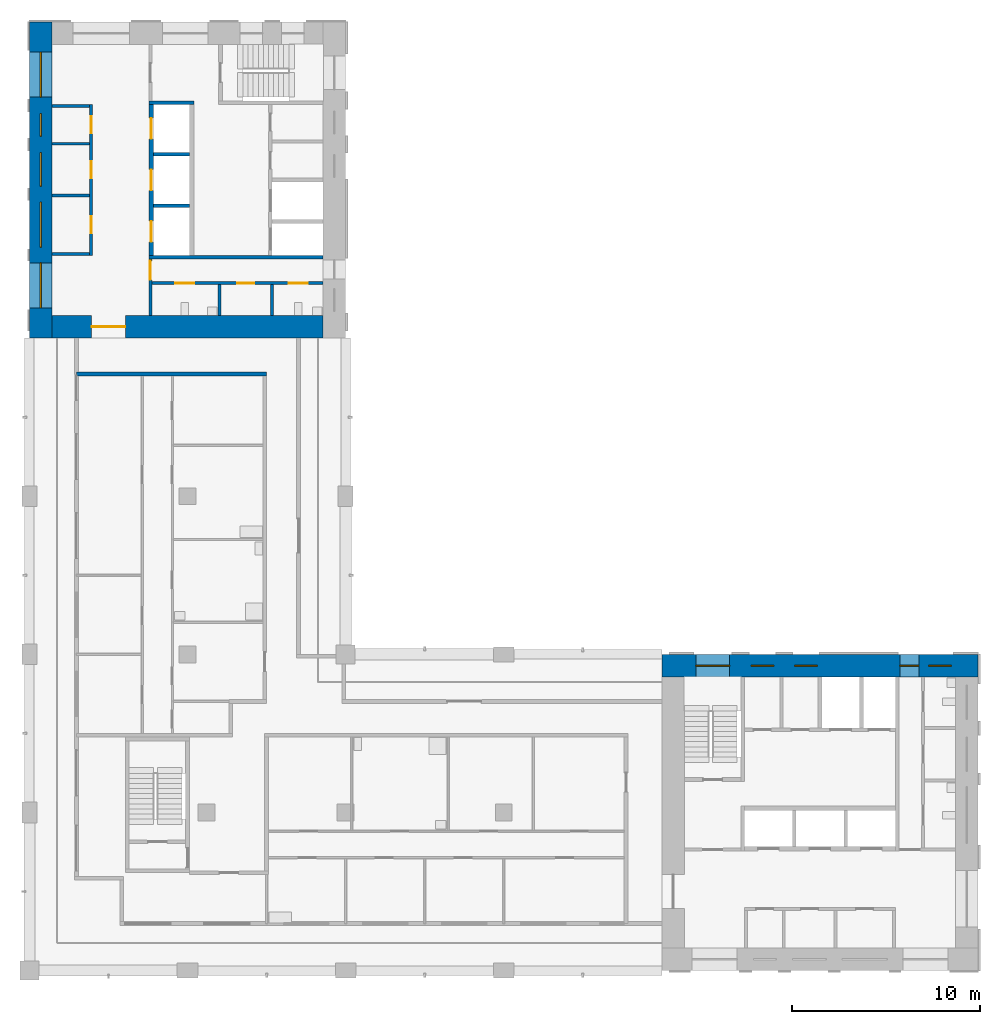
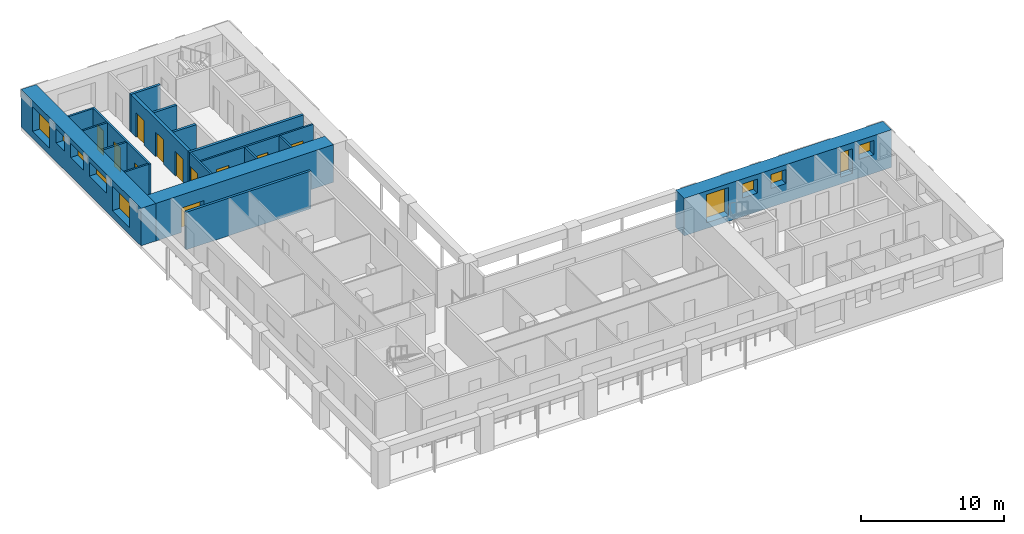
# One storey, part 5 of 9: 18 walls, 11 doors, 10 windows, 21 openings.
"""IFC4 building model written with IfcOpenShell, lengths in metres."""

from ifc_helpers import new_model, si_unit, direction, frame, frame_2d, origin, place, context, subcontext, project, spatial, rectangle, extrude, material, layer, layer_set, type_object, element, fill, save


model = new_model("IFC4")

# Units and contexts
model_context = context("Model", 3, precision=1e-05, world=origin(), true_north=direction((0.0, 1.0)))
body_context = subcontext(model_context, "Body", "Model", "MODEL_VIEW")
ifc_project = project(units=[si_unit("LENGTHUNIT", "METRE"), si_unit("AREAUNIT", "SQUARE_METRE"), si_unit("VOLUMEUNIT", "CUBIC_METRE"), si_unit("PLANEANGLEUNIT", "RADIAN"), si_unit("MASSUNIT", "GRAM", prefix="KILO")], contexts=[model_context])

# Site, building, storey
site_placement = place(None, origin())
site = spatial("IfcSite", under=ifc_project, at=site_placement, CompositionType="ELEMENT")
building_placement = place(site_placement, origin())
building = spatial("IfcBuilding", under=site, at=building_placement, Name="Vermilion Gate Residences", CompositionType="ELEMENT")
storey_placement = place(building_placement, frame((0.0, 0.0, 228.199951171875)))
storey = spatial("IfcBuildingStorey", under=building, at=storey_placement, Name="L59", CompositionType="ELEMENT", Elevation=228.199951171875)

# Walls
ifc_material_1 = material(Name="Masonry blockwork", Category="masonry")
ifc_layer_1 = layer(ifc_material_1, 0.14990234375)
ifc_layer_set_1 = layer_set([ifc_layer_1], Name="BLOCKWORK PARTITION 150 EI 120")
wall_type_1 = type_object("IfcWallType", Name="BLOCKWORK PARTITION 150 EI 120", PredefinedType="PARTITIONING", material=ifc_layer_set_1)
for number, where, z_axis, x_axis, name in (
    (1, (9.60009765625, 54.324951171875, 0.0), (0.0, 0.0, 1.0), (1.0, 0.0, 0.0), "Core room partition B59-RW-W"),
    (2, (9.60009765625, 46.47509765625, 0.0), (0.0, 0.0, 1.0), (1.0, 0.0, 0.0), "Core room partition B59-RW-E"),
    (3, (9.60009765625, 52.324951171875, 0.0), (0.0, 0.0, 1.0), (1.0, 0.0, 0.0), "Core room partition B59-SR-P0"),
    (4, (9.60009765625, 49.5849609375, 0.0), (0.0, 0.0, 1.0), (1.0, 0.0, 0.0), "Core room partition B59-SR-P1"),
):
    element("IfcWall", number, at=place(storey_placement, frame(where, z_axis=z_axis, x_axis=x_axis)), inside=storey, type_object=wall_type_1, Name=name, PredefinedType="PARTITIONING", context=body_context, shape_type="SweptSolid", body=[
        extrude(rectangle(XDim=2.0, YDim=0.14990234375, at=frame_2d((1.0, 0.0))), origin(), (0.0, 0.0, 1.0), 3.219970703125),
    ])

# Wall, openings, doors
wall_1_placement = place(storey_placement, frame((11.675048828125, 54.39990234375, 0.0), z_axis=(0.0, 0.0, 1.0), x_axis=(0.0, -1.0, 0.0)))
wall_1 = element("IfcWall", 5, at=wall_1_placement, inside=storey, type_object=wall_type_1, Name="Core room partition B59-LR-F", PredefinedType="PARTITIONING", context=body_context, shape_type="SweptSolid", body=[
    extrude(rectangle(XDim=8.0, YDim=0.14990234375, at=frame_2d((4.0, 0.0))), origin(), (0.0, 0.0, 1.0), 3.219970703125),
])
opening_1_placement = place(wall_1_placement, frame((0.625, 0.0, 0.0)))
opening_1 = element("IfcOpeningElement", 6, at=opening_1_placement, cuts=wall_1, Name="Opening DK59102", PredefinedType="OPENING", context=body_context, shape_type="SweptSolid", body=[
    extrude(rectangle(XDim=0.89990234375, YDim=2.10009765625, at=frame_2d((0.449951171875, 1.050048828125))), frame((0.0, 0.0849609375, 0.0), z_axis=(0.0, -1.0, 0.0), x_axis=(1.0, 0.0, 0.0)), (0.0, 0.0, 1.0), 0.169921875),
])
opening_2_placement = place(wall_1_placement, frame((2.9951171875, 0.0, 0.0)))
opening_2 = element("IfcOpeningElement", 7, at=opening_2_placement, cuts=wall_1, Name="Opening DK59103", PredefinedType="OPENING", context=body_context, shape_type="SweptSolid", body=[
    extrude(rectangle(XDim=0.89990234375, YDim=2.10009765625, at=frame_2d((0.449951171875, 1.050048828125))), frame((0.0, 0.0849609375, 0.0), z_axis=(0.0, -1.0, 0.0), x_axis=(1.0, 0.0, 0.0)), (0.0, 0.0, 1.0), 0.169921875),
])
opening_3_placement = place(wall_1_placement, frame((5.919921875, 0.0, 0.0)))
opening_3 = element("IfcOpeningElement", 8, at=opening_3_placement, cuts=wall_1, Name="Opening DK59104", PredefinedType="OPENING", context=body_context, shape_type="SweptSolid", body=[
    extrude(rectangle(XDim=0.89990234375, YDim=2.10009765625, at=frame_2d((0.449951171875, 1.050048828125))), frame((0.0, 0.0849609375, 0.0), z_axis=(0.0, -1.0, 0.0), x_axis=(1.0, 0.0, 0.0)), (0.0, 0.0, 1.0), 0.169921875),
])
ifc_material_2 = material(Name="Steel", Category="steel")
door_type_1 = type_object("IfcDoorType", Name="SERVICE ROOM DOOR FD60 900 X 2100", OperationType="SINGLE_SWING_LEFT", PredefinedType="DOOR", material=ifc_material_2)
door_1_placement = place(opening_1_placement, frame((0.89990234375, 0.0, 0.0), z_axis=(0.0, 0.0, 1.0), x_axis=(-1.0, 0.0, 0.0)))
door_1 = element("IfcDoor", 9, at=door_1_placement, inside=storey, type_object=door_type_1, Name="Mail room B59", OperationType="SINGLE_SWING_LEFT", OverallHeight=2.10009765625, OverallWidth=0.89990234375, PredefinedType="DOOR", context=body_context, shape_type="SweptSolid", body=[
    extrude(rectangle(XDim=0.89990234375, YDim=2.10009765625, at=frame_2d((0.449951171875, 1.050048828125))), frame((0.0, 0.02490234375, 0.0), z_axis=(0.0, -1.0, 0.0), x_axis=(1.0, 0.0, 0.0)), (0.0, 0.0, 1.0), 0.050048828125),
])
fill(opening_1, door_1)
door_2_placement = place(opening_2_placement, frame((0.89990234375, 0.0, 0.0), z_axis=(0.0, 0.0, 1.0), x_axis=(-1.0, 0.0, 0.0)))
door_2 = element("IfcDoor", 10, at=door_2_placement, inside=storey, type_object=door_type_1, Name="Cleaner's store B59", OperationType="SINGLE_SWING_LEFT", OverallHeight=2.10009765625, OverallWidth=0.89990234375, PredefinedType="DOOR", context=body_context, shape_type="SweptSolid", body=[
    extrude(rectangle(XDim=0.89990234375, YDim=2.10009765625, at=frame_2d((0.449951171875, 1.050048828125))), frame((0.0, 0.02490234375, 0.0), z_axis=(0.0, -1.0, 0.0), x_axis=(1.0, 0.0, 0.0)), (0.0, 0.0, 1.0), 0.050048828125),
])
fill(opening_2, door_2)
door_3_placement = place(opening_3_placement, origin())
door_3 = element("IfcDoor", 11, at=door_3_placement, inside=storey, type_object=door_type_1, Name="Electrical room B59", OperationType="SINGLE_SWING_LEFT", OverallHeight=2.10009765625, OverallWidth=0.89990234375, PredefinedType="DOOR", context=body_context, shape_type="SweptSolid", body=[
    extrude(rectangle(XDim=0.89990234375, YDim=2.10009765625, at=frame_2d((0.449951171875, 1.050048828125))), frame((0.0, 0.02490234375, 0.0), z_axis=(0.0, -1.0, 0.0), x_axis=(1.0, 0.0, 0.0)), (0.0, 0.0, 1.0), 0.050048828125),
])
fill(opening_3, door_3)

# Wall, opening, door
wall_2_placement = place(storey_placement, frame((14.824951171875, 46.199951171875, 0.0), z_axis=(0.0, 0.0, 1.0), x_axis=(0.0, -1.0, 0.0)))
wall_2 = element("IfcWall", 12, at=wall_2_placement, inside=storey, type_object=wall_type_1, Name="Core room partition B59-ES-S", PredefinedType="PARTITIONING", context=body_context, shape_type="SweptSolid", body=[
    extrude(rectangle(XDim=3.0, YDim=0.14990234375, at=frame_2d((1.5, 0.0))), origin(), (0.0, 0.0, 1.0), 3.219970703125),
])
opening_4_placement = place(wall_2_placement, frame((0.10009765625, 0.0, 0.0)))
opening_4 = element("IfcOpeningElement", 13, at=opening_4_placement, cuts=wall_2, Name="Opening DK59114", PredefinedType="OPENING", context=body_context, shape_type="SweptSolid", body=[
    extrude(rectangle(XDim=1.0, YDim=2.10009765625, at=frame_2d((0.5, 1.050048828125))), frame((0.0, 0.0849609375, 0.0), z_axis=(0.0, -1.0, 0.0), x_axis=(1.0, 0.0, 0.0)), (0.0, 0.0, 1.0), 0.169921875),
])
ifc_material_3 = material(Name="Steel", Category="steel")
door_type_2 = type_object("IfcDoorType", Name="FIRE DOOR FD60 1000 X 2100", OperationType="SINGLE_SWING_LEFT", PredefinedType="DOOR", material=ifc_material_3)
door_4_placement = place(opening_4_placement, frame((1.0, 0.0, 0.0), z_axis=(0.0, 0.0, 1.0), x_axis=(-1.0, 0.0, 0.0)))
door_4 = element("IfcDoor", 14, at=door_4_placement, inside=storey, type_object=door_type_2, Name="Service corridor door B59", OperationType="SINGLE_SWING_LEFT", OverallHeight=2.10009765625, OverallWidth=1.0, PredefinedType="DOOR", context=body_context, shape_type="SweptSolid", body=[
    extrude(rectangle(XDim=1.0, YDim=2.10009765625, at=frame_2d((0.5, 1.050048828125))), frame((0.0, 0.02490234375, 0.0), z_axis=(0.0, -1.0, 0.0), x_axis=(1.0, 0.0, 0.0)), (0.0, 0.0, 1.0), 0.050048828125),
])
fill(opening_4, door_4)

# Walls
for number, where, z_axis, x_axis, name in (
    (15, (18.4951171875, 44.85009765625, 0.0), (0.0, 0.0, 1.0), (0.0, -1.0, 0.0), "Core room partition B59-ES-P0"),
    (16, (21.284912109375, 44.85009765625, 0.0), (0.0, 0.0, 1.0), (0.0, -1.0, 0.0), "Core room partition B59-ES-P1"),
):
    element("IfcWall", number, at=place(storey_placement, frame(where, z_axis=z_axis, x_axis=x_axis)), inside=storey, type_object=wall_type_1, Name=name, PredefinedType="PARTITIONING", context=body_context, shape_type="SweptSolid", body=[
        extrude(rectangle(XDim=1.650146484375, YDim=0.14990234375, at=frame_2d((0.8251953125, 0.0))), origin(), (0.0, 0.0, 1.0), 3.219970703125),
    ])

# Wall, openings, doors
wall_3_placement = place(storey_placement, frame((14.89990234375, 44.925048828125, 0.0), z_axis=(0.0, 0.0, 1.0), x_axis=(1.0, 0.0, 0.0)))
wall_3 = element("IfcWall", 17, at=wall_3_placement, inside=storey, type_object=wall_type_1, Name="Core room partition B59-ES-W", PredefinedType="PARTITIONING", context=body_context, shape_type="SweptSolid", body=[
    extrude(rectangle(XDim=9.10009765625, YDim=0.14990234375, at=frame_2d((4.550048828125, 0.0))), origin(), (0.0, 0.0, 1.0), 3.219970703125),
])
opening_5_placement = place(wall_3_placement, frame((1.260009765625, 0.0, 0.0)))
opening_5 = element("IfcOpeningElement", 18, at=opening_5_placement, cuts=wall_3, Name="Opening DK59115", PredefinedType="OPENING", context=body_context, shape_type="SweptSolid", body=[
    extrude(rectangle(XDim=1.0, YDim=2.10009765625, at=frame_2d((0.5, 1.050048828125))), frame((0.0, 0.0849609375, 0.0), z_axis=(0.0, -1.0, 0.0), x_axis=(1.0, 0.0, 0.0)), (0.0, 0.0, 1.0), 0.169921875),
])
opening_6_placement = place(wall_3_placement, frame((4.5400390625, 0.0, 0.0)))
opening_6 = element("IfcOpeningElement", 19, at=opening_6_placement, cuts=wall_3, Name="Opening DK59116", PredefinedType="OPENING", context=body_context, shape_type="SweptSolid", body=[
    extrude(rectangle(XDim=0.89990234375, YDim=2.10009765625, at=frame_2d((0.449951171875, 1.050048828125))), frame((0.0, 0.0849609375, 0.0), z_axis=(0.0, -1.0, 0.0), x_axis=(1.0, 0.0, 0.0)), (0.0, 0.0, 1.0), 0.169921875),
])
opening_7_placement = place(wall_3_placement, frame((7.280029296875, 0.0, 0.0)))
opening_7 = element("IfcOpeningElement", 20, at=opening_7_placement, cuts=wall_3, Name="Opening DK59117", PredefinedType="OPENING", context=body_context, shape_type="SweptSolid", body=[
    extrude(rectangle(XDim=1.0, YDim=2.10009765625, at=frame_2d((0.5, 1.050048828125))), frame((0.0, 0.0849609375, 0.0), z_axis=(0.0, -1.0, 0.0), x_axis=(1.0, 0.0, 0.0)), (0.0, 0.0, 1.0), 0.169921875),
])
door_5_placement = place(opening_5_placement, frame((1.0, 0.0, 0.0), z_axis=(0.0, 0.0, 1.0), x_axis=(-1.0, 0.0, 0.0)))
door_5 = element("IfcDoor", 21, at=door_5_placement, inside=storey, type_object=door_type_2, Name="Accessible WC B59", OperationType="SINGLE_SWING_RIGHT", OverallHeight=2.10009765625, OverallWidth=1.0, PredefinedType="DOOR", context=body_context, shape_type="SweptSolid", body=[
    extrude(rectangle(XDim=1.0, YDim=2.10009765625, at=frame_2d((0.5, 1.050048828125))), frame((0.0, 0.02490234375, 0.0), z_axis=(0.0, -1.0, 0.0), x_axis=(1.0, 0.0, 0.0)), (0.0, 0.0, 1.0), 0.050048828125),
])
fill(opening_5, door_5)
door_6_placement = place(opening_7_placement, frame((1.0, 0.0, 0.0), z_axis=(0.0, 0.0, 1.0), x_axis=(-1.0, 0.0, 0.0)))
door_6 = element("IfcDoor", 22, at=door_6_placement, inside=storey, type_object=door_type_2, Name="Accessible WC B59", OperationType="SINGLE_SWING_RIGHT", OverallHeight=2.10009765625, OverallWidth=1.0, PredefinedType="DOOR", context=body_context, shape_type="SweptSolid", body=[
    extrude(rectangle(XDim=1.0, YDim=2.10009765625, at=frame_2d((0.5, 1.050048828125))), frame((0.0, 0.02490234375, 0.0), z_axis=(0.0, -1.0, 0.0), x_axis=(1.0, 0.0, 0.0)), (0.0, 0.0, 1.0), 0.050048828125),
])
fill(opening_7, door_6)
door_7_placement = place(opening_6_placement, frame((0.89990234375, 0.0, 0.0), z_axis=(0.0, 0.0, 1.0), x_axis=(-1.0, 0.0, 0.0)))
door_7 = element("IfcDoor", 23, at=door_7_placement, inside=storey, type_object=door_type_1, Name="Communications room B59", OperationType="SINGLE_SWING_RIGHT", OverallHeight=2.10009765625, OverallWidth=0.89990234375, PredefinedType="DOOR", context=body_context, shape_type="SweptSolid", body=[
    extrude(rectangle(XDim=0.89990234375, YDim=2.10009765625, at=frame_2d((0.449951171875, 1.050048828125))), frame((0.0, 0.02490234375, 0.0), z_axis=(0.0, -1.0, 0.0), x_axis=(1.0, 0.0, 0.0)), (0.0, 0.0, 1.0), 0.050048828125),
])
fill(opening_6, door_7)

# Walls
ifc_material_4 = material(Name="Fire-rated plasterboard on steel studs", Category="steel")
ifc_layer_2 = layer(ifc_material_4, 0.199951171875)
ifc_layer_set_2 = layer_set([ifc_layer_2], Name="PARTY WALL 200 EI 120")
wall_type_2 = type_object("IfcWallType", Name="PARTY WALL 200 EI 120", PredefinedType="PARTITIONING", material=ifc_layer_set_2)
wall_4_placement = place(storey_placement, frame((10.89990234375, 40.10009765625, 0.0), z_axis=(0.0, 0.0, 1.0), x_axis=(1.0, 0.0, 0.0)))
element("IfcWall", 24, at=wall_4_placement, inside=storey, type_object=wall_type_2, Name="Party and corridor wall", PredefinedType="PARTITIONING", context=body_context, shape_type="SweptSolid", body=[
    extrude(rectangle(XDim=10.10009765625, YDim=0.199951171875, at=frame_2d((5.050048828125, 0.0))), origin(), (0.0, 0.0, 1.0), 3.219970703125),
])
ifc_material_5 = material(Name="Concrete C60", Category="concrete")
ifc_layer_3 = layer(ifc_material_5, 0.199951171875)
ifc_layer_set_3 = layer_set([ifc_layer_3], Name="RC CORE INTERNAL WALL 200 C60")
wall_type_3 = type_object("IfcWallType", Name="RC CORE INTERNAL WALL 200 C60", PredefinedType="SHEAR", material=ifc_layer_set_3)
for number, where, z_axis, x_axis, name in (
    (25, (15.0, 51.7666015625, 0.0), (0.0, 0.0, 1.0), (1.0, 0.0, 0.0), "Core internal wall B59-HR-D1"),
    (26, (15.0, 49.033447265625, 0.0), (0.0, 0.0, 1.0), (1.0, 0.0, 0.0), "Core internal wall B59-HR-D2"),
):
    element("IfcWall", number, at=place(storey_placement, frame(where, z_axis=z_axis, x_axis=x_axis)), inside=storey, type_object=wall_type_3, Name=name, PredefinedType="SHEAR", context=body_context, shape_type="SweptSolid", body=[
        extrude(rectangle(XDim=1.89990234375, YDim=0.199951171875, at=frame_2d((0.949951171875, 0.0))), origin(), (0.0, 0.0, 1.0), 3.219970703125),
    ])
wall_5_placement = place(storey_placement, frame((14.75, 54.5, 0.0), z_axis=(0.0, 0.0, 1.0), x_axis=(1.0, 0.0, 0.0)))
element("IfcWall", 27, at=wall_5_placement, inside=storey, type_object=wall_type_3, Name="Core internal wall B59-WDIV1", PredefinedType="SHEAR", context=body_context, shape_type="SweptSolid", body=[
    extrude(rectangle(XDim=2.39990234375, YDim=0.199951171875, at=frame_2d((1.199951171875, 0.0))), origin(), (0.0, 0.0, 1.0), 3.219970703125),
])
wall_6_placement = place(storey_placement, frame((14.75, 46.300048828125, 0.0), z_axis=(0.0, 0.0, 1.0), x_axis=(1.0, 0.0, 0.0)))
element("IfcWall", 28, at=wall_6_placement, inside=storey, type_object=wall_type_3, Name="Core internal wall B59-EDIV", PredefinedType="SHEAR", context=body_context, shape_type="SweptSolid", body=[
    extrude(rectangle(XDim=9.25, YDim=0.199951171875, at=frame_2d((4.625, 0.0))), origin(), (0.0, 0.0, 1.0), 3.219970703125),
])

# Wall, opening, door
ifc_material_6 = material(Name="Concrete C50", Category="concrete")
ifc_layer_4 = layer(ifc_material_6, 1.199951171875)
ifc_layer_set_4 = layer_set([ifc_layer_4], Name="RC CORE WALL 1200 C50")
wall_type_4 = type_object("IfcWallType", Name="RC CORE WALL 1200 C50", PredefinedType="SHEAR", material=ifc_layer_set_4)
wall_7_placement = place(storey_placement, frame((9.60009765625, 42.60009765625, 0.0), z_axis=(0.0, 0.0, 1.0), x_axis=(1.0, 0.0, 0.0)))
wall_7 = element("IfcWall", 29, at=wall_7_placement, inside=storey, type_object=wall_type_4, Name="Core wall B59-OUT-BK", PredefinedType="SHEAR", context=body_context, shape_type="SweptSolid", body=[
    extrude(rectangle(XDim=14.39990234375, YDim=1.199951171875, at=frame_2d((7.199951171875, 0.0))), origin(), (0.0, 0.0, 1.0), 3.219970703125),
])
opening_8_placement = place(wall_7_placement, frame((2.10009765625, 0.0, 0.0)))
opening_8 = element("IfcOpeningElement", 30, at=opening_8_placement, cuts=wall_7, Name="Opening DK59101", PredefinedType="OPENING", context=body_context, shape_type="SweptSolid", body=[
    extrude(rectangle(XDim=1.800048828125, YDim=2.10009765625, at=frame_2d((0.89990234375, 1.050048828125))), frame((0.0, 0.60986328125, 0.0), z_axis=(0.0, -1.0, 0.0), x_axis=(1.0, 0.0, 0.0)), (0.0, 0.0, 1.0), 1.219970703125),
])
ifc_material_7 = material(Name="Steel", Category="steel")
door_type_3 = type_object("IfcDoorType", Name="CORE LOBBY DOOR FD60 1800 X 2100", OperationType="DOUBLE_DOOR_SINGLE_SWING", PredefinedType="DOOR", material=ifc_material_7)
door_8_placement = place(opening_8_placement, frame((1.800048828125, 0.0, 0.0), z_axis=(0.0, 0.0, 1.0), x_axis=(-1.0, 0.0, 0.0)))
door_8 = element("IfcDoor", 31, at=door_8_placement, inside=storey, type_object=door_type_3, Name="Core lobby door B59", OperationType="DOUBLE_DOOR_SINGLE_SWING", OverallHeight=2.10009765625, OverallWidth=1.800048828125, PredefinedType="DOOR", context=body_context, shape_type="SweptSolid", body=[
    extrude(rectangle(XDim=1.800048828125, YDim=2.10009765625, at=frame_2d((0.89990234375, 1.050048828125))), frame((0.0, 0.02490234375, 0.0), z_axis=(0.0, -1.0, 0.0), x_axis=(1.0, 0.0, 0.0)), (0.0, 0.0, 1.0), 0.050048828125),
])
fill(opening_8, door_8)

# Wall, openings, windows
ifc_material_8 = material(Name="Concrete C50 red-oxide pigmented", Category="concrete")
ifc_layer_5 = layer(ifc_material_8, 1.199951171875)
ifc_layer_set_5 = layer_set([ifc_layer_5], Name="RC CORE WALL 1200 C50 RED OXIDE")
wall_type_5 = type_object("IfcWallType", Name="RC CORE WALL 1200 C50 RED OXIDE", PredefinedType="SHEAR", material=ifc_layer_set_5)
wall_8_placement = place(storey_placement, frame((42.0, 24.60009765625, 0.0), z_axis=(0.0, 0.0, 1.0), x_axis=(1.0, 0.0, 0.0)))
wall_8 = element("IfcWall", 32, at=wall_8_placement, inside=storey, type_object=wall_type_5, Name="Core wall A59-OUT-B1", PredefinedType="SHEAR", context=body_context, shape_type="SweptSolid", body=[
    extrude(rectangle(XDim=16.800048828125, YDim=1.199951171875, at=frame_2d((8.39990234375, 0.0))), origin(), (0.0, 0.0, 1.0), 3.219970703125),
])
opening_9_placement = place(wall_8_placement, frame((1.800048828125, 0.0, 0.5)))
opening_9 = element("IfcOpeningElement", 33, at=opening_9_placement, cuts=wall_8, Name="Opening WKA5906", PredefinedType="OPENING", context=body_context, shape_type="SweptSolid", body=[
    extrude(rectangle(XDim=1.800048828125, YDim=2.39990234375, at=frame_2d((0.89990234375, 1.199951171875))), frame((0.0, 0.60986328125, 0.0), z_axis=(0.0, -1.0, 0.0), x_axis=(1.0, 0.0, 0.0)), (0.0, 0.0, 1.0), 1.219970703125),
])
opening_10_placement = place(wall_8_placement, frame((4.737548828125, 0.0, 1.60009765625)))
opening_10 = element("IfcOpeningElement", 34, at=opening_10_placement, cuts=wall_8, Name="Opening WKA5907", PredefinedType="OPENING", context=body_context, shape_type="SweptSolid", body=[
    extrude(rectangle(XDim=1.199951171875, YDim=1.199951171875, at=frame_2d((0.60009765625, 0.60009765625))), frame((0.0, 0.60986328125, 0.0), z_axis=(0.0, -1.0, 0.0), x_axis=(1.0, 0.0, 0.0)), (0.0, 0.0, 1.0), 1.219970703125),
])
opening_11_placement = place(wall_8_placement, frame((7.050048828125, 0.0, 1.60009765625)))
opening_11 = element("IfcOpeningElement", 35, at=opening_11_placement, cuts=wall_8, Name="Opening WKA5908", PredefinedType="OPENING", context=body_context, shape_type="SweptSolid", body=[
    extrude(rectangle(XDim=1.199951171875, YDim=1.199951171875, at=frame_2d((0.60009765625, 0.60009765625))), frame((0.0, 0.60986328125, 0.0), z_axis=(0.0, -1.0, 0.0), x_axis=(1.0, 0.0, 0.0)), (0.0, 0.0, 1.0), 1.219970703125),
])
opening_12_placement = place(wall_8_placement, frame((12.64990234375, 0.0, 0.60009765625)))
opening_12 = element("IfcOpeningElement", 36, at=opening_12_placement, cuts=wall_8, Name="Opening WKA5909", PredefinedType="OPENING", context=body_context, shape_type="SweptSolid", body=[
    extrude(rectangle(XDim=1.0, YDim=2.10009765625, at=frame_2d((0.5, 1.050048828125))), frame((0.0, 0.60986328125, 0.0), z_axis=(0.0, -1.0, 0.0), x_axis=(1.0, 0.0, 0.0)), (0.0, 0.0, 1.0), 1.219970703125),
])
opening_13_placement = place(wall_8_placement, frame((14.175048828125, 0.0, 1.60009765625)))
opening_13 = element("IfcOpeningElement", 37, at=opening_13_placement, cuts=wall_8, Name="Opening WKA5910", PredefinedType="OPENING", context=body_context, shape_type="SweptSolid", body=[
    extrude(rectangle(XDim=1.199951171875, YDim=1.199951171875, at=frame_2d((0.60009765625, 0.60009765625))), frame((0.0, 0.60986328125, 0.0), z_axis=(0.0, -1.0, 0.0), x_axis=(1.0, 0.0, 0.0)), (0.0, 0.0, 1.0), 1.219970703125),
])
ifc_material_9 = material(Name="Aluminium and clear glass", Category="aluminium")
window_type_1 = type_object("IfcWindowType", Name="CORE CORRIDOR WINDOW 1000 X 2100", PartitioningType="SINGLE_PANEL", PredefinedType="WINDOW", material=ifc_material_9)
window_1_placement = place(opening_12_placement, origin())
window_1 = element("IfcWindow", 38, at=window_1_placement, inside=storey, type_object=window_type_1, Name="Core corridor window", OverallHeight=2.10009765625, OverallWidth=1.0, PartitioningType="SINGLE_PANEL", PredefinedType="WINDOW", context=body_context, shape_type="SweptSolid", body=[
    extrude(rectangle(XDim=1.0, YDim=2.10009765625, at=frame_2d((0.5, 1.050048828125))), frame((0.0, 0.030029296875, 0.0), z_axis=(0.0, -1.0, 0.0), x_axis=(1.0, 0.0, 0.0)), (0.0, 0.0, 1.0), 0.06005859375),
])
fill(opening_12, window_1)
ifc_material_10 = material(Name="Aluminium frame with louvre blades", Category="aluminium")
window_type_2 = type_object("IfcWindowType", Name="CORE LOUVRE 1200 X 1200", PartitioningType="SINGLE_PANEL", PredefinedType="WINDOW", material=ifc_material_10)
window_2_placement = place(opening_10_placement, origin())
window_2 = element("IfcWindow", 39, at=window_2_placement, inside=storey, type_object=window_type_2, Name="Core louvre", OverallHeight=1.199951171875, OverallWidth=1.199951171875, PartitioningType="SINGLE_PANEL", PredefinedType="WINDOW", context=body_context, shape_type="SweptSolid", body=[
    extrude(rectangle(XDim=1.199951171875, YDim=1.199951171875, at=frame_2d((0.60009765625, 0.60009765625))), frame((0.0, 0.030029296875, 0.0), z_axis=(0.0, -1.0, 0.0), x_axis=(1.0, 0.0, 0.0)), (0.0, 0.0, 1.0), 0.06005859375),
])
fill(opening_10, window_2)
window_3_placement = place(opening_11_placement, origin())
window_3 = element("IfcWindow", 40, at=window_3_placement, inside=storey, type_object=window_type_2, Name="Core louvre", OverallHeight=1.199951171875, OverallWidth=1.199951171875, PartitioningType="SINGLE_PANEL", PredefinedType="WINDOW", context=body_context, shape_type="SweptSolid", body=[
    extrude(rectangle(XDim=1.199951171875, YDim=1.199951171875, at=frame_2d((0.60009765625, 0.60009765625))), frame((0.0, 0.030029296875, 0.0), z_axis=(0.0, -1.0, 0.0), x_axis=(1.0, 0.0, 0.0)), (0.0, 0.0, 1.0), 0.06005859375),
])
fill(opening_11, window_3)
window_4_placement = place(opening_13_placement, origin())
window_4 = element("IfcWindow", 41, at=window_4_placement, inside=storey, type_object=window_type_2, Name="Core louvre", OverallHeight=1.199951171875, OverallWidth=1.199951171875, PartitioningType="SINGLE_PANEL", PredefinedType="WINDOW", context=body_context, shape_type="SweptSolid", body=[
    extrude(rectangle(XDim=1.199951171875, YDim=1.199951171875, at=frame_2d((0.60009765625, 0.60009765625))), frame((0.0, 0.030029296875, 0.0), z_axis=(0.0, -1.0, 0.0), x_axis=(1.0, 0.0, 0.0)), (0.0, 0.0, 1.0), 0.06005859375),
])
fill(opening_13, window_4)
ifc_material_11 = material(Name="Aluminium and clear glass", Category="aluminium")
window_type_3 = type_object("IfcWindowType", Name="CORE STAIR WINDOW 1800 X 2400", PartitioningType="SINGLE_PANEL", PredefinedType="WINDOW", material=ifc_material_11)
window_5_placement = place(opening_9_placement, origin())
window_5 = element("IfcWindow", 42, at=window_5_placement, inside=storey, type_object=window_type_3, Name="Core stair window", OverallHeight=2.39990234375, OverallWidth=1.800048828125, PartitioningType="SINGLE_PANEL", PredefinedType="WINDOW", context=body_context, shape_type="SweptSolid", body=[
    extrude(rectangle(XDim=1.800048828125, YDim=2.39990234375, at=frame_2d((0.89990234375, 1.199951171875))), frame((0.0, 0.030029296875, 0.0), z_axis=(0.0, -1.0, 0.0), x_axis=(1.0, 0.0, 0.0)), (0.0, 0.0, 1.0), 0.06005859375),
])
fill(opening_9, window_5)

wall_9_placement = place(storey_placement, frame((9.0, 58.800048828125, 0.0), z_axis=(0.0, 0.0, 1.0), x_axis=(0.0, -1.0, 0.0)))
wall_9 = element("IfcWall", 43, at=wall_9_placement, inside=storey, type_object=wall_type_5, Name="Core wall B59-OUT-B0", PredefinedType="SHEAR", context=body_context, shape_type="SweptSolid", body=[
    extrude(rectangle(XDim=16.800048828125, YDim=1.199951171875, at=frame_2d((8.39990234375, 0.0))), origin(), (0.0, 0.0, 1.0), 3.219970703125),
])
opening_14_placement = place(wall_9_placement, frame((1.60009765625, 0.0, 0.60009765625)))
opening_14 = element("IfcOpeningElement", 44, at=opening_14_placement, cuts=wall_9, Name="Opening WKB5901", PredefinedType="OPENING", context=body_context, shape_type="SweptSolid", body=[
    extrude(rectangle(XDim=2.39990234375, YDim=2.10009765625, at=frame_2d((1.199951171875, 1.050048828125))), frame((0.0, 0.60986328125, 0.0), z_axis=(0.0, -1.0, 0.0), x_axis=(1.0, 0.0, 0.0)), (0.0, 0.0, 1.0), 1.219970703125),
])
opening_15_placement = place(wall_9_placement, frame((4.875, 0.0, 1.60009765625)))
opening_15 = element("IfcOpeningElement", 45, at=opening_15_placement, cuts=wall_9, Name="Opening WKB5902", PredefinedType="OPENING", context=body_context, shape_type="SweptSolid", body=[
    extrude(rectangle(XDim=1.199951171875, YDim=1.199951171875, at=frame_2d((0.60009765625, 0.60009765625))), frame((0.0, 0.60986328125, 0.0), z_axis=(0.0, -1.0, 0.0), x_axis=(1.0, 0.0, 0.0)), (0.0, 0.0, 1.0), 1.219970703125),
])
opening_16_placement = place(wall_9_placement, frame((6.945068359375, 0.0, 1.60009765625)))
opening_16 = element("IfcOpeningElement", 46, at=opening_16_placement, cuts=wall_9, Name="Opening WKB5903", PredefinedType="OPENING", context=body_context, shape_type="SweptSolid", body=[
    extrude(rectangle(XDim=1.800048828125, YDim=1.199951171875, at=frame_2d((0.89990234375, 0.60009765625))), frame((0.0, 0.60986328125, 0.0), z_axis=(0.0, -1.0, 0.0), x_axis=(1.0, 0.0, 0.0)), (0.0, 0.0, 1.0), 1.219970703125),
])
opening_17_placement = place(wall_9_placement, frame((9.570068359375, 0.0, 1.60009765625)))
opening_17 = element("IfcOpeningElement", 47, at=opening_17_placement, cuts=wall_9, Name="Opening WKB5904", PredefinedType="OPENING", context=body_context, shape_type="SweptSolid", body=[
    extrude(rectangle(XDim=2.39990234375, YDim=1.199951171875, at=frame_2d((1.199951171875, 0.60009765625))), frame((0.0, 0.60986328125, 0.0), z_axis=(0.0, -1.0, 0.0), x_axis=(1.0, 0.0, 0.0)), (0.0, 0.0, 1.0), 1.219970703125),
])
opening_18_placement = place(wall_9_placement, frame((12.800048828125, 0.0, 0.60009765625)))
opening_18 = element("IfcOpeningElement", 48, at=opening_18_placement, cuts=wall_9, Name="Opening WKB5905", PredefinedType="OPENING", context=body_context, shape_type="SweptSolid", body=[
    extrude(rectangle(XDim=2.39990234375, YDim=2.10009765625, at=frame_2d((1.199951171875, 1.050048828125))), frame((0.0, 0.60986328125, 0.0), z_axis=(0.0, -1.0, 0.0), x_axis=(1.0, 0.0, 0.0)), (0.0, 0.0, 1.0), 1.219970703125),
])
ifc_material_12 = material(Name="Aluminium and clear glass", Category="aluminium")
window_type_4 = type_object("IfcWindowType", Name="CORE LOBBY WINDOW 2400 X 2100", PartitioningType="SINGLE_PANEL", PredefinedType="WINDOW", material=ifc_material_12)
window_6_placement = place(opening_14_placement, origin())
window_6 = element("IfcWindow", 49, at=window_6_placement, inside=storey, type_object=window_type_4, Name="Core lobby window", OverallHeight=2.10009765625, OverallWidth=2.39990234375, PartitioningType="SINGLE_PANEL", PredefinedType="WINDOW", context=body_context, shape_type="SweptSolid", body=[
    extrude(rectangle(XDim=2.39990234375, YDim=2.10009765625, at=frame_2d((1.199951171875, 1.050048828125))), frame((0.0, 0.030029296875, 0.0), z_axis=(0.0, -1.0, 0.0), x_axis=(1.0, 0.0, 0.0)), (0.0, 0.0, 1.0), 0.06005859375),
])
fill(opening_14, window_6)
window_7_placement = place(opening_18_placement, origin())
window_7 = element("IfcWindow", 50, at=window_7_placement, inside=storey, type_object=window_type_4, Name="Core lobby window", OverallHeight=2.10009765625, OverallWidth=2.39990234375, PartitioningType="SINGLE_PANEL", PredefinedType="WINDOW", context=body_context, shape_type="SweptSolid", body=[
    extrude(rectangle(XDim=2.39990234375, YDim=2.10009765625, at=frame_2d((1.199951171875, 1.050048828125))), frame((0.0, 0.030029296875, 0.0), z_axis=(0.0, -1.0, 0.0), x_axis=(1.0, 0.0, 0.0)), (0.0, 0.0, 1.0), 0.06005859375),
])
fill(opening_18, window_7)
window_8_placement = place(opening_15_placement, origin())
window_8 = element("IfcWindow", 51, at=window_8_placement, inside=storey, type_object=window_type_2, Name="Core louvre", OverallHeight=1.199951171875, OverallWidth=1.199951171875, PartitioningType="SINGLE_PANEL", PredefinedType="WINDOW", context=body_context, shape_type="SweptSolid", body=[
    extrude(rectangle(XDim=1.199951171875, YDim=1.199951171875, at=frame_2d((0.60009765625, 0.60009765625))), frame((0.0, 0.030029296875, 0.0), z_axis=(0.0, -1.0, 0.0), x_axis=(1.0, 0.0, 0.0)), (0.0, 0.0, 1.0), 0.06005859375),
])
fill(opening_15, window_8)
ifc_material_13 = material(Name="Aluminium frame with louvre blades", Category="aluminium")
window_type_5 = type_object("IfcWindowType", Name="CORE LOUVRE 1800 X 1200", PartitioningType="SINGLE_PANEL", PredefinedType="WINDOW", material=ifc_material_13)
window_9_placement = place(opening_16_placement, origin())
window_9 = element("IfcWindow", 52, at=window_9_placement, inside=storey, type_object=window_type_5, Name="Core louvre", OverallHeight=1.199951171875, OverallWidth=1.800048828125, PartitioningType="SINGLE_PANEL", PredefinedType="WINDOW", context=body_context, shape_type="SweptSolid", body=[
    extrude(rectangle(XDim=1.800048828125, YDim=1.199951171875, at=frame_2d((0.89990234375, 0.60009765625))), frame((0.0, 0.030029296875, 0.0), z_axis=(0.0, -1.0, 0.0), x_axis=(1.0, 0.0, 0.0)), (0.0, 0.0, 1.0), 0.06005859375),
])
fill(opening_16, window_9)
ifc_material_14 = material(Name="Aluminium frame with louvre blades", Category="aluminium")
window_type_6 = type_object("IfcWindowType", Name="CORE LOUVRE 2400 X 1200", PartitioningType="SINGLE_PANEL", PredefinedType="WINDOW", material=ifc_material_14)
window_10_placement = place(opening_17_placement, origin())
window_10 = element("IfcWindow", 53, at=window_10_placement, inside=storey, type_object=window_type_6, Name="Core louvre", OverallHeight=1.199951171875, OverallWidth=2.39990234375, PartitioningType="SINGLE_PANEL", PredefinedType="WINDOW", context=body_context, shape_type="SweptSolid", body=[
    extrude(rectangle(XDim=2.39990234375, YDim=1.199951171875, at=frame_2d((1.199951171875, 0.60009765625))), frame((0.0, 0.030029296875, 0.0), z_axis=(0.0, -1.0, 0.0), x_axis=(1.0, 0.0, 0.0)), (0.0, 0.0, 1.0), 0.06005859375),
])
fill(opening_17, window_10)

# Wall, openings, doors
ifc_material_15 = material(Name="Concrete C60", Category="concrete")
ifc_layer_6 = layer(ifc_material_15, 0.25)
ifc_layer_set_6 = layer_set([ifc_layer_6], Name="RC LIFT SHAFT WALL 250 C60")
wall_type_6 = type_object("IfcWallType", Name="RC LIFT SHAFT WALL 250 C60", PredefinedType="SHEAR", material=ifc_layer_set_6)
wall_10_placement = place(storey_placement, frame((14.875, 54.39990234375, 0.0), z_axis=(0.0, 0.0, 1.0), x_axis=(0.0, -1.0, 0.0)))
wall_10 = element("IfcWall", 54, at=wall_10_placement, inside=storey, type_object=wall_type_6, Name="Lift shaft wall B59-HR-F", PredefinedType="SHEAR", context=body_context, shape_type="SweptSolid", body=[
    extrude(rectangle(XDim=8.0, YDim=0.25, at=frame_2d((4.0, 0.0))), origin(), (0.0, 0.0, 1.0), 3.219970703125),
])
opening_19_placement = place(wall_10_placement, frame((0.716552734375, 0.0, 0.0)))
opening_19 = element("IfcOpeningElement", 55, at=opening_19_placement, cuts=wall_10, Name="Opening LD", PredefinedType="OPENING", context=body_context, shape_type="SweptSolid", body=[
    extrude(rectangle(XDim=1.10009765625, YDim=2.10009765625, at=frame_2d((0.550048828125, 1.050048828125))), frame((0.0, 0.135009765625, 0.0), z_axis=(0.0, -1.0, 0.0), x_axis=(1.0, 0.0, 0.0)), (0.0, 0.0, 1.0), 0.27001953125),
])
opening_20_placement = place(wall_10_placement, frame((3.449951171875, 0.0, 0.0)))
opening_20 = element("IfcOpeningElement", 56, at=opening_20_placement, cuts=wall_10, Name="Opening LD", PredefinedType="OPENING", context=body_context, shape_type="SweptSolid", body=[
    extrude(rectangle(XDim=1.10009765625, YDim=2.10009765625, at=frame_2d((0.550048828125, 1.050048828125))), frame((0.0, 0.135009765625, 0.0), z_axis=(0.0, -1.0, 0.0), x_axis=(1.0, 0.0, 0.0)), (0.0, 0.0, 1.0), 0.27001953125),
])
opening_21_placement = place(wall_10_placement, frame((6.183349609375, 0.0, 0.0)))
opening_21 = element("IfcOpeningElement", 57, at=opening_21_placement, cuts=wall_10, Name="Opening LD", PredefinedType="OPENING", context=body_context, shape_type="SweptSolid", body=[
    extrude(rectangle(XDim=1.10009765625, YDim=2.10009765625, at=frame_2d((0.550048828125, 1.050048828125))), frame((0.0, 0.135009765625, 0.0), z_axis=(0.0, -1.0, 0.0), x_axis=(1.0, 0.0, 0.0)), (0.0, 0.0, 1.0), 0.27001953125),
])
ifc_material_16 = material(Name="Stainless steel", Category="steel")
door_type_4 = type_object("IfcDoorType", Name="LIFT LANDING DOOR E60 1100 X 2100", OperationType="DOUBLE_DOOR_SLIDING", PredefinedType="DOOR", material=ifc_material_16)
door_9_placement = place(opening_19_placement, origin())
door_9 = element("IfcDoor", 58, at=door_9_placement, inside=storey, type_object=door_type_4, Name="Lift landing door HRB1", OperationType="DOUBLE_DOOR_SLIDING", OverallHeight=2.10009765625, OverallWidth=1.10009765625, PredefinedType="DOOR", context=body_context, shape_type="SweptSolid", body=[
    extrude(rectangle(XDim=1.10009765625, YDim=2.10009765625, at=frame_2d((0.550048828125, 1.050048828125))), frame((0.0, 0.02490234375, 0.0), z_axis=(0.0, -1.0, 0.0), x_axis=(1.0, 0.0, 0.0)), (0.0, 0.0, 1.0), 0.050048828125),
])
fill(opening_19, door_9)
door_10_placement = place(opening_20_placement, origin())
door_10 = element("IfcDoor", 59, at=door_10_placement, inside=storey, type_object=door_type_4, Name="Lift landing door HRB2", OperationType="DOUBLE_DOOR_SLIDING", OverallHeight=2.10009765625, OverallWidth=1.10009765625, PredefinedType="DOOR", context=body_context, shape_type="SweptSolid", body=[
    extrude(rectangle(XDim=1.10009765625, YDim=2.10009765625, at=frame_2d((0.550048828125, 1.050048828125))), frame((0.0, 0.02490234375, 0.0), z_axis=(0.0, -1.0, 0.0), x_axis=(1.0, 0.0, 0.0)), (0.0, 0.0, 1.0), 0.050048828125),
])
fill(opening_20, door_10)
door_11_placement = place(opening_21_placement, origin())
door_11 = element("IfcDoor", 60, at=door_11_placement, inside=storey, type_object=door_type_4, Name="Lift landing door HRB3", OperationType="DOUBLE_DOOR_SLIDING", OverallHeight=2.10009765625, OverallWidth=1.10009765625, PredefinedType="DOOR", context=body_context, shape_type="SweptSolid", body=[
    extrude(rectangle(XDim=1.10009765625, YDim=2.10009765625, at=frame_2d((0.550048828125, 1.050048828125))), frame((0.0, 0.02490234375, 0.0), z_axis=(0.0, -1.0, 0.0), x_axis=(1.0, 0.0, 0.0)), (0.0, 0.0, 1.0), 0.050048828125),
])
fill(opening_21, door_11)

save(model, "model.ifc")
